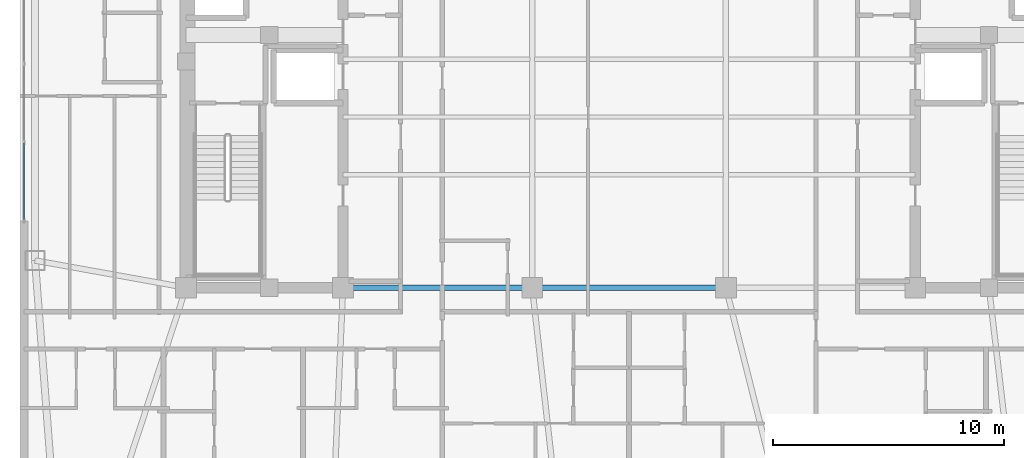
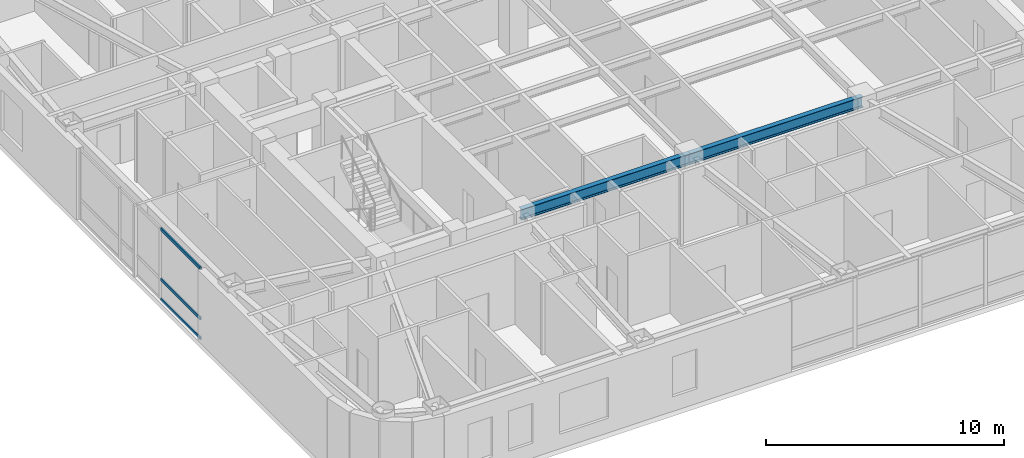
# One storey, part 5 of 29: 3 members, 2 beams, 1 element without a shape of its own.
"""IFC4 building model written with IfcOpenShell, lengths in metres."""

from ifc_helpers import new_model, si_unit, direction, frame, origin, origin_2d, place, context, subcontext, project, spatial, hollow_rectangle, i_section, extrude, material, layer, layer_set, material_profile, profile_set, type_object, element, aggregate, save


model = new_model("IFC4")

# Units and contexts
model_context = context("Model", 3, precision=1e-05, world=origin(), true_north=direction((0.0, 1.0)))
body_context = subcontext(model_context, "Body", "Model", "MODEL_VIEW")
ifc_project = project(units=[si_unit("LENGTHUNIT", "METRE"), si_unit("AREAUNIT", "SQUARE_METRE"), si_unit("VOLUMEUNIT", "CUBIC_METRE"), si_unit("PLANEANGLEUNIT", "RADIAN"), si_unit("MASSUNIT", "GRAM", prefix="KILO")], contexts=[model_context])

# Site, building, storey
site_placement = place(None, origin())
site = spatial("IfcSite", under=ifc_project, at=site_placement, CompositionType="ELEMENT")
building_placement = place(site_placement, origin())
building = spatial("IfcBuilding", under=site, at=building_placement, Name="Voryun Gate Residences", CompositionType="ELEMENT")
storey_placement = place(building_placement, frame((0.0, 0.0, 211.89990234375)))
storey = spatial("IfcBuildingStorey", under=building, at=storey_placement, Name="L52", CompositionType="ELEMENT", Elevation=211.89990234375)

# Beams
ifc_material_1 = material(Name="Steel SM355", Category="steel")
ifc_material_profile_1 = material_profile(ifc_material_1, i_section(OverallWidth=0.239990234375, OverallDepth=0.550048828125, WebThickness=0.011962890625, FlangeThickness=0.02001953125, FilletRadius=0.01806640625, at=origin_2d()), Name="H-550x240x12x20")
ifc_profile_set_1 = profile_set([ifc_material_profile_1], Name="Steel SM355")
beam_type = type_object("IfcBeamType", Name="BM_GIRD_550", PredefinedType="USERDEFINED", material=ifc_profile_set_1)
beam_1_placement = place(storey_placement, frame((-12.39990234375, -7.39990234375, 3.375), z_axis=(1.0, 0.0, 0.0), x_axis=(0.0, 1.0, 0.0)))
element("IfcBeam", 1, at=beam_1_placement, inside=storey, type_object=beam_type, Name="BM-L52-SPG1-S", ObjectType="GIRDER", PredefinedType="USERDEFINED", context=body_context, shape_type="SweptSolid", body=[
    extrude(i_section(OverallWidth=0.239990234375, OverallDepth=0.550048828125, WebThickness=0.011962890625, FlangeThickness=0.02001953125, FilletRadius=0.01806640625, at=origin_2d()), origin(), (0.0, 0.0, 1.0), 8.199951171875),
])
beam_2_placement = place(storey_placement, frame((-4.199951171875, -7.39990234375, 3.375), z_axis=(1.0, 0.0, 0.0), x_axis=(0.0, 1.0, 0.0)))
element("IfcBeam", 2, at=beam_2_placement, inside=storey, type_object=beam_type, Name="BM-L52-SPG2-S", ObjectType="GIRDER", PredefinedType="USERDEFINED", context=body_context, shape_type="SweptSolid", body=[
    extrude(i_section(OverallWidth=0.239990234375, OverallDepth=0.550048828125, WebThickness=0.011962890625, FlangeThickness=0.02001953125, FilletRadius=0.01806640625, at=origin_2d()), origin(), (0.0, 0.0, 1.0), 8.39990234375),
])

# Curtain wall, members
ifc_material_2 = material(Name="Anodised aluminium", Category="aluminium")
ifc_layer = layer(ifc_material_2, 0.18994140625, Name="CW_SYS_RES_B_DARK_GLASS")
ifc_layer_set = layer_set([ifc_layer], Name="Anodised aluminium")
curtain_wall_type = type_object("IfcCurtainWallType", Name="CW_SYS_RES_B_DARK_GLASS", PredefinedType="NOTDEFINED", material=ifc_layer_set)
curtain_wall_placement = place(storey_placement, origin())
curtain_wall = element("IfcCurtainWall", 3, at=curtain_wall_placement, inside=storey, type_object=curtain_wall_type, Name="Curtain wall CWT-L52-06", PredefinedType="NOTDEFINED")
ifc_material_3 = material(Name="Anodised aluminium", Category="aluminium")
ifc_material_profile_2 = material_profile(ifc_material_3, hollow_rectangle(XDim=0.070068359375, YDim=0.14990234375, WallThickness=0.00390625, at=origin_2d()), Name="ALU-TRAN-150x70x4")
ifc_profile_set_2 = profile_set([ifc_material_profile_2], Name="Anodised aluminium")
member_type = type_object("IfcMemberType", Name="CW_TRAN_RES", PredefinedType="USERDEFINED", material=ifc_profile_set_2)
member_1_placement = place(storey_placement, frame((-26.22998046875, -4.45458984375, 0.030029296875), z_axis=(0.0, 1.0, 0.0), x_axis=(-1.0, 0.0, 0.0)))
member_1 = element("IfcMember", 4, at=member_1_placement, type_object=member_type, Name="CW4 transom 1.1", ObjectType="TRANSOM", PredefinedType="USERDEFINED", context=body_context, shape_type="SweptSolid", body=[
    extrude(hollow_rectangle(XDim=0.070068359375, YDim=0.14990234375, WallThickness=0.00390625, at=origin_2d()), origin(), (0.0, 0.0, 1.0), 3.319580078125),
])
member_2_placement = place(storey_placement, frame((-26.22998046875, -4.45458984375, 1.050048828125), z_axis=(0.0, 1.0, 0.0), x_axis=(-1.0, 0.0, 0.0)))
member_2 = element("IfcMember", 5, at=member_2_placement, type_object=member_type, Name="CW4 transom 1.2", ObjectType="TRANSOM", PredefinedType="USERDEFINED", context=body_context, shape_type="SweptSolid", body=[
    extrude(hollow_rectangle(XDim=0.070068359375, YDim=0.14990234375, WallThickness=0.00390625, at=origin_2d()), origin(), (0.0, 0.0, 1.0), 3.319580078125),
])
member_3_placement = place(storey_placement, frame((-26.22998046875, -4.45458984375, 3.6201171875), z_axis=(0.0, 1.0, 0.0), x_axis=(-1.0, 0.0, 0.0)))
member_3 = element("IfcMember", 6, at=member_3_placement, type_object=member_type, Name="CW4 transom 1.3", ObjectType="TRANSOM", PredefinedType="USERDEFINED", context=body_context, shape_type="SweptSolid", body=[
    extrude(hollow_rectangle(XDim=0.070068359375, YDim=0.14990234375, WallThickness=0.00390625, at=origin_2d()), origin(), (0.0, 0.0, 1.0), 3.319580078125),
])
aggregate(curtain_wall, [member_1, member_2, member_3])

save(model, "model.ifc")
